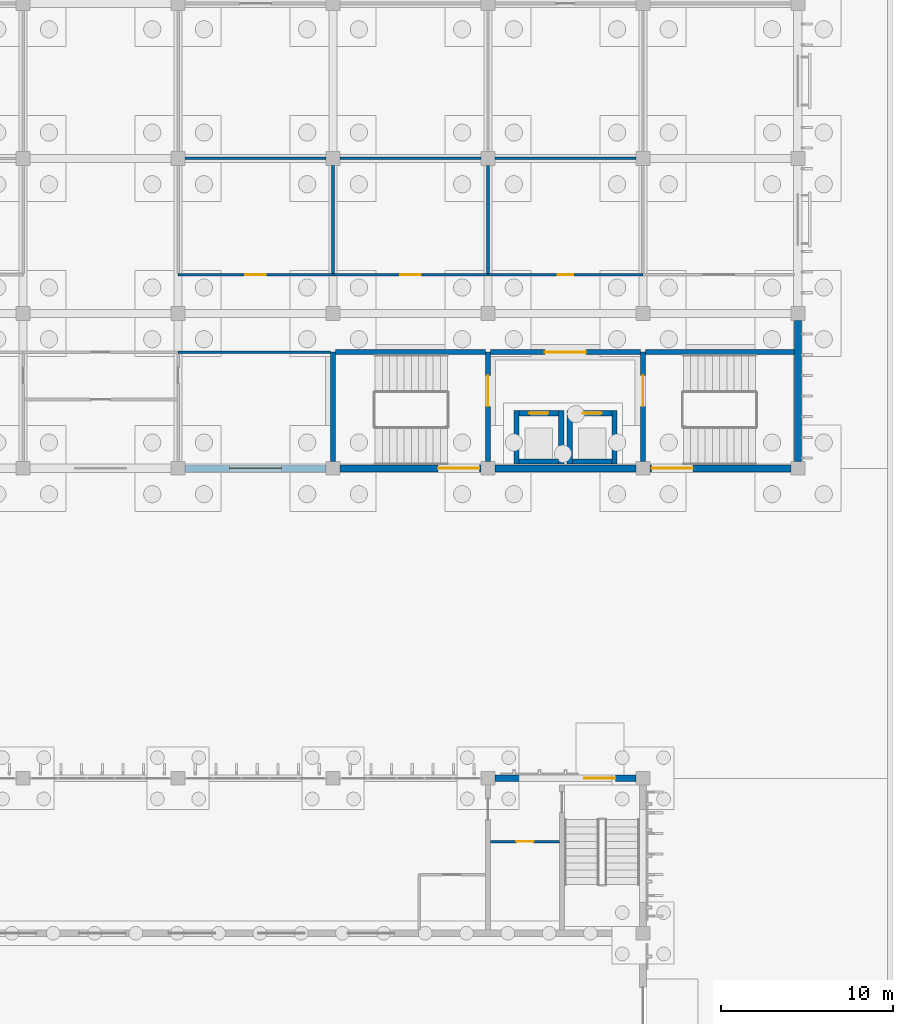
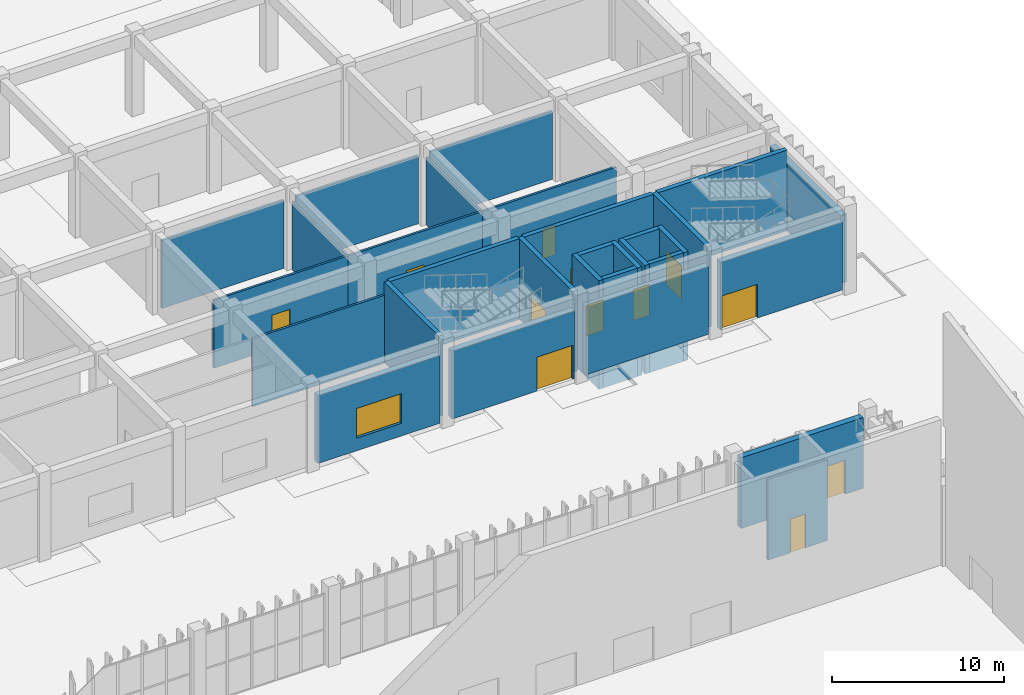
# One storey, part 103 of 198: 30 walls, 12 doors, 1 window, 13 openings.
"""IFC4 building model written with IfcOpenShell, lengths in metres."""

import ifcopenshell
import ifcopenshell.guid

model = None  # the IFC model being written
_history = None  # IfcOwnerHistory: only IFC2X3 demands one
_inside = {}  # id of a spatial element -> (the spatial element, [elements in it])
_under = {}  # id of a project, library or spatial element -> (it, [spatial elements below it])
_declared = {}  # id of a project -> (the project, [libraries it declares])
_typed = {}  # id of a type object -> (the type object, [elements of that type])
_made_of = {}  # id of a material, layer set ... -> (it, [elements and type objects made of it])


def new_model(schema):
    """Start an empty IFC model of exactly this schema.

    Asked for "IFC4X3", IfcOpenShell would pick the latest addendum, in which some entities
    have other attributes; the version numbers below select the first issue.
    IFC2X3 requires an IfcOwnerHistory on every rooted entity: one is made here for all.
    """
    global model, _history
    if schema == "IFC4X3":
        model = ifcopenshell.file(schema_version=(4, 3, 0, 0))
    else:
        model = ifcopenshell.file(schema=schema)
    _inside.clear()
    _under.clear()
    _declared.clear()
    _typed.clear()
    _made_of.clear()
    _history = None
    if model.schema == "IFC2X3":
        org = make("IfcOrganization", Name="unknown")
        user = make(
            "IfcPersonAndOrganization",
            ThePerson=make("IfcPerson", FamilyName="unknown"),
            TheOrganization=org,
        )
        app = make(
            "IfcApplication",
            ApplicationDeveloper=org,
            Version="unknown",
            ApplicationFullName="unknown",
            ApplicationIdentifier="unknown",
        )
        _history = make(
            "IfcOwnerHistory",
            OwningUser=user,
            OwningApplication=app,
            ChangeAction="ADDED",
            CreationDate=0,
        )
    return model


def make(cls, **values):
    """One entity of the class cls with the attributes given. An attribute that is None is left unset."""
    return model.create_entity(
        cls, **{name: value for name, value in values.items() if value is not None}
    )


def rooted(cls, **values):
    """An entity with a GlobalId (a new one), such as an element, a storey or a relation."""
    return make(cls, GlobalId=ifcopenshell.guid.new(), OwnerHistory=_history, **values)


def si_unit(unit_type, name, prefix=None):
    """IfcSIUnit, for example si_unit("LENGTHUNIT", "METRE", prefix="MILLI")."""
    return make("IfcSIUnit", UnitType=unit_type, Prefix=prefix, Name=name)


def assignment(units):
    """IfcUnitAssignment: the units of a project."""
    return None if units is None else make("IfcUnitAssignment", Units=units)


def point(xyz):
    """IfcCartesianPoint."""
    return None if xyz is None else make("IfcCartesianPoint", Coordinates=xyz)


def direction(xyz):
    """IfcDirection."""
    return None if xyz is None else make("IfcDirection", DirectionRatios=xyz)


def frame(location, z_axis=None, x_axis=None):
    """IfcAxis2Placement3D, a coordinate frame: its origin and axes. An axis left out is left unset."""
    return make(
        "IfcAxis2Placement3D",
        Location=point(location),
        Axis=direction(z_axis),
        RefDirection=direction(x_axis),
    )


def frame_2d(location, x_axis=None):
    """IfcAxis2Placement2D, a coordinate frame in the plane: its origin and x axis."""
    return make(
        "IfcAxis2Placement2D", Location=point(location), RefDirection=direction(x_axis)
    )


def origin():
    """The frame at (0, 0, 0) with its axes left unset."""
    return frame((0.0, 0.0, 0.0))


def place(relative_to, where):
    """IfcLocalPlacement: puts the frame where relative to a parent placement (None: the world)."""
    return make(
        "IfcLocalPlacement", PlacementRelTo=relative_to, RelativePlacement=where
    )


def context(
    kind, dimensions, precision=None, world=None, true_north=None, identifier=None
):
    """IfcGeometricRepresentationContext, for example the 3D "Model" context."""
    return make(
        "IfcGeometricRepresentationContext",
        ContextIdentifier=identifier,
        ContextType=kind,
        CoordinateSpaceDimension=dimensions,
        Precision=precision,
        WorldCoordinateSystem=world,
        TrueNorth=true_north,
    )


def subcontext(parent, identifier, kind, view, scale=None):
    """IfcGeometricRepresentationSubContext, for example "Body" below "Model"."""
    return make(
        "IfcGeometricRepresentationSubContext",
        ContextIdentifier=identifier,
        ContextType=kind,
        ParentContext=parent,
        TargetScale=scale,
        TargetView=view,
    )


def project(units=None, contexts=None):
    """IfcProject with its units and contexts."""
    return rooted(
        "IfcProject",
        Name="project",
        RepresentationContexts=contexts,
        UnitsInContext=assignment(units),
    )


def spatial(cls, under=None, at=None, **own):
    """A site, building, storey or space (cls), placed at a placement, below another one or the project."""
    s = rooted(cls, ObjectPlacement=at, **own)
    if under is not None:
        _under.setdefault(under.id(), (under, []))[1].append(s)
    return s


def profile(cls, at=None, kind="AREA", **sizes):
    """A parametric profile (cls). Its sizes go by their IFC names, for example OverallWidth=200.0."""
    return make(cls, ProfileType=kind, Position=at, **sizes)


def rectangle(**sizes):
    """IfcRectangleProfileDef."""
    return profile("IfcRectangleProfileDef", **sizes)


def extrude(swept, where, along, depth):
    """IfcExtrudedAreaSolid: the profile swept, set in the frame where, extruded along a direction by depth."""
    return make(
        "IfcExtrudedAreaSolid",
        SweptArea=swept,
        Position=where,
        ExtrudedDirection=direction(along),
        Depth=depth,
    )


def shape(context_of_items, identifier, shape_type, items):
    """IfcShapeRepresentation: the items that make up one representation, for example the "Body"."""
    return make(
        "IfcShapeRepresentation",
        ContextOfItems=context_of_items,
        RepresentationIdentifier=identifier,
        RepresentationType=shape_type,
        Items=items,
    )


def material(Name=None, Category=None):
    """IfcMaterial."""
    return make("IfcMaterial", Name=Name, Category=Category)


def layer(
    of_material, thickness, ventilated=None, Name=None, Category=None, Priority=None
):
    """IfcMaterialLayer: one layer of a wall or slab, of a material (None: an air gap)."""
    return make(
        "IfcMaterialLayer",
        Material=of_material,
        LayerThickness=thickness,
        IsVentilated=ventilated,
        Name=Name,
        Category=Category,
        Priority=Priority,
    )


def layer_set(layers, Name=None):
    """IfcMaterialLayerSet."""
    return make("IfcMaterialLayerSet", MaterialLayers=layers, LayerSetName=Name)


def made_of(thing, what):
    """Note that an element or type object is made of a material, layer set ...; save() writes the relation."""
    if what is not None:
        _made_of.setdefault(what.id(), (what, []))[1].append(thing)
    return thing


def type_object(cls, material=None, **own):
    """A type object (cls), such as IfcWallType, which elements share."""
    return made_of(rooted(cls, **own), material)


def element(
    cls,
    number,
    at=None,
    inside=None,
    cuts=None,
    type_object=None,
    material=None,
    context=None,
    identifier="Body",
    shape_type=None,
    held_by="IfcProductDefinitionShape",
    body=None,
    shapes=None,
    **own,
):
    """One element of the class cls, such as IfcWall. Its Tag is "e" and its number.

    at: its placement. inside: the storey or other place that contains it. cuts: it is an
    opening in that element (IfcRelVoidsElement). A single representation is given by context,
    identifier, shape_type and body (its items); several are given by shapes. held_by: the class
    of the entity that holds the representations. save() writes the other relations.
    """
    e = rooted(cls, Tag="e%d" % number, ObjectPlacement=at, **own)
    if body is not None:
        shapes = [shape(context, identifier, shape_type, body)]
    if shapes is not None:
        e.Representation = make(held_by, Representations=shapes)
    if inside is not None:
        _inside.setdefault(inside.id(), (inside, []))[1].append(e)
    if cuts is not None:
        rooted(
            "IfcRelVoidsElement", RelatingBuildingElement=cuts, RelatedOpeningElement=e
        )
    if type_object is not None:
        _typed.setdefault(type_object.id(), (type_object, []))[1].append(e)
    return made_of(e, material)


def fill(opening, filler):
    """IfcRelFillsElement: the door or window that sits in an opening."""
    return rooted(
        "IfcRelFillsElement",
        RelatingOpeningElement=opening,
        RelatedBuildingElement=filler,
    )


def aggregate(whole, parts):
    """IfcRelAggregates: a whole, such as a stair, and the parts it consists of."""
    return rooted("IfcRelAggregates", RelatingObject=whole, RelatedObjects=parts)


def save(model, path):
    """Write the relations noted so far, then the file.

    IfcRelAggregates (storeys below a building ...), IfcRelContainedInSpatialStructure (elements
    in a storey), IfcRelDefinesByType, IfcRelAssociatesMaterial and IfcRelDeclares: one each for
    every whole, place, type object, material and project.
    """
    for whole, parts in _under.values():
        aggregate(whole, parts)
    for where, things in _inside.values():
        rooted(
            "IfcRelContainedInSpatialStructure",
            RelatedElements=things,
            RelatingStructure=where,
        )
    for kind, things in _typed.values():
        rooted("IfcRelDefinesByType", RelatedObjects=things, RelatingType=kind)
    for what, things in _made_of.values():
        rooted("IfcRelAssociatesMaterial", RelatedObjects=things, RelatingMaterial=what)
    for by, libraries in _declared.values():
        rooted("IfcRelDeclares", RelatingContext=by, RelatedDefinitions=libraries)
    model.write(path)


model = new_model("IFC4")

# Units and contexts
model_context = context("Model", 3, precision=1e-05, world=origin(), true_north=direction((0.0, 1.0)))
body_context = subcontext(model_context, "Body", "Model", "MODEL_VIEW")
ifc_project = project(units=[si_unit("LENGTHUNIT", "METRE"), si_unit("AREAUNIT", "SQUARE_METRE"), si_unit("VOLUMEUNIT", "CUBIC_METRE"), si_unit("PLANEANGLEUNIT", "RADIAN"), si_unit("MASSUNIT", "GRAM", prefix="KILO")], contexts=[model_context])

# Site, building, storey
site_placement = place(None, origin())
site = spatial("IfcSite", under=ifc_project, at=site_placement, CompositionType="ELEMENT")
building_placement = place(site_placement, origin())
building = spatial("IfcBuilding", under=site, at=building_placement, Name="Opaline Strait Convention Centre", CompositionType="ELEMENT")
storey_placement = place(building_placement, origin())
storey = spatial("IfcBuildingStorey", under=building, at=storey_placement, Name="L00", CompositionType="ELEMENT", Elevation=0.0)

# Wall, opening, door
ifc_material_1 = material(Name="Gypsum board and steel stud partition", Category="steel")
ifc_layer_1 = layer(ifc_material_1, 0.14990234375)
ifc_layer_set_1 = layer_set([ifc_layer_1], Name="Gypsum board and steel stud partition")
wall_type_1 = type_object("IfcWallType", Name="Corridor partition 150 EI 60", PredefinedType="PARTITIONING", material=ifc_layer_set_1)
wall_1_placement = place(storey_placement, frame((342.14990234375, 68.324951171875, 0.0), z_axis=(0.0, 0.0, 1.0), x_axis=(1.0, 0.0, 0.0)))
wall_1 = element("IfcWall", 1, at=wall_1_placement, inside=storey, type_object=wall_type_1, Name="Lobby partition L00 NE", PredefinedType="PARTITIONING", context=body_context, shape_type="SweptSolid", body=[
    extrude(rectangle(XDim=4.0, YDim=0.14990234375, at=frame_2d((2.0, 0.0))), origin(), (0.0, 0.0, 1.0), 5.719970703125),
])
opening_1_placement = place(wall_1_placement, frame((1.5, 0.0, 0.0)))
opening_1 = element("IfcOpeningElement", 2, at=opening_1_placement, cuts=wall_1, Name="Opening B0-026", PredefinedType="OPENING", context=body_context, shape_type="SweptSolid", body=[
    extrude(rectangle(XDim=1.0, YDim=2.39990234375, at=frame_2d((0.5, 1.199951171875))), frame((0.0, 0.0849609375, 0.0), z_axis=(0.0, -1.0, 0.0), x_axis=(1.0, 0.0, 0.0)), (0.0, 0.0, 1.0), 0.169921875),
])
ifc_material_2 = material(Name="Solid timber door leaf", Category="wood")
door_type_1 = type_object("IfcDoorType", Name="Single room door 1000 x 2400", OperationType="SINGLE_SWING_LEFT", PredefinedType="DOOR", material=ifc_material_2)
door_1_placement = place(opening_1_placement, origin())
door_1 = element("IfcDoor", 3, at=door_1_placement, inside=storey, type_object=door_type_1, Name="Female WC door L00", ObjectType="BD3", OperationType="SINGLE_SWING_RIGHT", OverallHeight=2.39990234375, OverallWidth=1.0, PredefinedType="DOOR", context=body_context, shape_type="SweptSolid", body=[
    extrude(rectangle(XDim=1.0, YDim=2.39990234375, at=frame_2d((0.5, 1.199951171875))), frame((0.0, 0.02490234375, 0.0), z_axis=(0.0, -1.0, 0.0), x_axis=(1.0, 0.0, 0.0)), (0.0, 0.0, 1.0), 0.050048828125),
])
fill(opening_1, door_1)

# Wall
ifc_material_3 = material(Name="Gypsum board")
ifc_layer_2 = layer(ifc_material_3, 0.032470703125)
ifc_material_4 = material(Name="Steel stud and mineral wool", Category="steel")
ifc_layer_3 = layer(ifc_material_4, 0.0849609375)
ifc_layer_4 = layer(ifc_material_3, 0.032470703125)
ifc_layer_set_2 = layer_set([ifc_layer_2, ifc_layer_3, ifc_layer_4], Name="Gypsum board, Steel stud and mineral wool, Gypsum board")
wall_type_2 = type_object("IfcWallType", Name="Corridor partition 150 EI60", PredefinedType="PARTITIONING", material=ifc_layer_set_2)
wall_2_placement = place(storey_placement, frame((324.0, 96.75, 0.0), z_axis=(0.0, 0.0, 1.0), x_axis=(1.0, 0.0, 0.0)))
element("IfcWall", 4, at=wall_2_placement, inside=storey, type_object=wall_type_2, Name="MPW1 partition Women's WC 0.S N", PredefinedType="PARTITIONING", context=body_context, shape_type="SweptSolid", body=[
    extrude(rectangle(XDim=8.85009765625, YDim=0.14990234375, at=frame_2d((4.425048828125, 0.0))), origin(), (0.0, 0.0, 1.0), 4.820068359375),
])

# Wall, opening, window
ifc_material_5 = material(Name="Concrete C40 precast", Category="concrete")
ifc_layer_5 = layer(ifc_material_5, 0.10009765625)
ifc_material_6 = material(Name="Mineral wool insulation")
ifc_layer_6 = layer(ifc_material_6, 0.14990234375)
ifc_layer_7 = layer(ifc_material_5, 0.14990234375)
ifc_layer_set_3 = layer_set([ifc_layer_5, ifc_layer_6, ifc_layer_7], Name="Concrete C40 precast, Mineral wool insulation, Concrete C40 precast")
wall_type_3 = type_object("IfcWallType", Name="External wall 400 insulated precast EI60", PredefinedType="STANDARD", material=ifc_layer_set_3)
wall_3_placement = place(storey_placement, frame((324.39990234375, 90.0, 0.0), z_axis=(0.0, 0.0, 1.0), x_axis=(1.0, 0.0, 0.0)))
wall_3 = element("IfcWall", 5, at=wall_3_placement, inside=storey, type_object=wall_type_3, Name="External wall S L00 37/L", PredefinedType="STANDARD", context=body_context, shape_type="SweptSolid", body=[
    extrude(rectangle(XDim=8.2001953125, YDim=0.39990234375, at=frame_2d((4.10009765625, 0.0))), origin(), (0.0, 0.0, 1.0), 4.820068359375),
])
opening_2_placement = place(wall_3_placement, frame((2.60009765625, 0.0, 0.89990234375)))
opening_2 = element("IfcOpeningElement", 6, at=opening_2_placement, cuts=wall_3, Name="Opening MW2", PredefinedType="OPENING", context=body_context, shape_type="SweptSolid", body=[
    extrude(rectangle(XDim=3.0, YDim=2.10009765625, at=frame_2d((1.5, 1.050048828125))), frame((0.0, 0.2099609375, 0.0), z_axis=(0.0, -1.0, 0.0), x_axis=(1.0, 0.0, 0.0)), (0.0, 0.0, 1.0), 0.419921875),
])
ifc_material_7 = material(Name="Aluminium framed double glazing", Category="aluminium")
window_type = type_object("IfcWindowType", Name="Window 3000 x 2100", PartitioningType="TRIPLE_PANEL_VERTICAL", PredefinedType="WINDOW", material=ifc_material_7)
window_placement = place(opening_2_placement, origin())
window = element("IfcWindow", 7, at=window_placement, inside=storey, type_object=window_type, Name="Window Women's WC 0.S S", OverallHeight=2.10009765625, OverallWidth=3.0, PartitioningType="TRIPLE_PANEL_VERTICAL", PredefinedType="WINDOW", context=body_context, shape_type="SweptSolid", body=[
    extrude(rectangle(XDim=3.0, YDim=2.10009765625, at=frame_2d((1.5, 1.050048828125))), frame((0.0, 0.030029296875, 0.0), z_axis=(0.0, -1.0, 0.0), x_axis=(1.0, 0.0, 0.0)), (0.0, 0.0, 1.0), 0.06005859375),
])
fill(opening_2, window)

# Wall, opening, door
wall_4_placement = place(storey_placement, frame((333.39990234375, 90.0, 0.0), z_axis=(0.0, 0.0, 1.0), x_axis=(1.0, 0.0, 0.0)))
wall_4 = element("IfcWall", 8, at=wall_4_placement, inside=storey, type_object=wall_type_3, Name="External wall S L00 38/L", PredefinedType="STANDARD", context=body_context, shape_type="SweptSolid", body=[
    extrude(rectangle(XDim=8.2001953125, YDim=0.39990234375, at=frame_2d((4.10009765625, 0.0))), origin(), (0.0, 0.0, 1.0), 4.820068359375),
])
opening_3_placement = place(wall_4_placement, frame((5.7001953125, 0.0, 0.0)))
opening_3 = element("IfcOpeningElement", 9, at=opening_3_placement, cuts=wall_4, Name="Opening M0-003", PredefinedType="OPENING", context=body_context, shape_type="SweptSolid", body=[
    extrude(rectangle(XDim=2.39990234375, YDim=2.39990234375, at=frame_2d((1.199951171875, 1.199951171875))), frame((0.0, 0.2099609375, 0.0), z_axis=(0.0, -1.0, 0.0), x_axis=(1.0, 0.0, 0.0)), (0.0, 0.0, 1.0), 0.419921875),
])
ifc_material_8 = material(Name="Aluminium framed glazed door", Category="aluminium")
door_type_2 = type_object("IfcDoorType", Name="Exit double door glazed 2400 x 2400", OperationType="DOUBLE_DOOR_SINGLE_SWING", PredefinedType="DOOR", material=ifc_material_8)
door_2_placement = place(opening_3_placement, frame((2.39990234375, 0.0, 0.0), z_axis=(0.0, 0.0, 1.0), x_axis=(-1.0, 0.0, 0.0)))
door_2 = element("IfcDoor", 10, at=door_2_placement, inside=storey, type_object=door_type_2, Name="Stair exit door Escape Stair S4", ObjectType="MD1", OperationType="DOUBLE_DOOR_SINGLE_SWING", OverallHeight=2.39990234375, OverallWidth=2.39990234375, PredefinedType="DOOR", context=body_context, shape_type="SweptSolid", body=[
    extrude(rectangle(XDim=2.39990234375, YDim=2.39990234375, at=frame_2d((1.199951171875, 1.199951171875))), frame((0.0, 0.02490234375, 0.0), z_axis=(0.0, -1.0, 0.0), x_axis=(1.0, 0.0, 0.0)), (0.0, 0.0, 1.0), 0.050048828125),
])
fill(opening_3, door_2)

# Wall
wall_5_placement = place(storey_placement, frame((342.39990234375, 90.0, 0.0), z_axis=(0.0, 0.0, 1.0), x_axis=(1.0, 0.0, 0.0)))
element("IfcWall", 11, at=wall_5_placement, inside=storey, type_object=wall_type_3, Name="External wall S L00 39/L", PredefinedType="STANDARD", context=body_context, shape_type="SweptSolid", body=[
    extrude(rectangle(XDim=8.2001953125, YDim=0.39990234375, at=frame_2d((4.10009765625, 0.0))), origin(), (0.0, 0.0, 1.0), 4.820068359375),
])

# Wall, opening, door
wall_6_placement = place(storey_placement, frame((351.39990234375, 90.0, 0.0), z_axis=(0.0, 0.0, 1.0), x_axis=(1.0, 0.0, 0.0)))
wall_6 = element("IfcWall", 12, at=wall_6_placement, inside=storey, type_object=wall_type_3, Name="External wall S L00 40/L", PredefinedType="STANDARD", context=body_context, shape_type="SweptSolid", body=[
    extrude(rectangle(XDim=8.2001953125, YDim=0.39990234375, at=frame_2d((4.10009765625, 0.0))), origin(), (0.0, 0.0, 1.0), 4.820068359375),
])
opening_4_placement = place(wall_6_placement, frame((0.10009765625, 0.0, 0.0)))
opening_4 = element("IfcOpeningElement", 13, at=opening_4_placement, cuts=wall_6, Name="Opening M0-004", PredefinedType="OPENING", context=body_context, shape_type="SweptSolid", body=[
    extrude(rectangle(XDim=2.39990234375, YDim=2.39990234375, at=frame_2d((1.199951171875, 1.199951171875))), frame((0.0, 0.2099609375, 0.0), z_axis=(0.0, -1.0, 0.0), x_axis=(1.0, 0.0, 0.0)), (0.0, 0.0, 1.0), 0.419921875),
])
door_3_placement = place(opening_4_placement, frame((2.39990234375, 0.0, 0.0), z_axis=(0.0, 0.0, 1.0), x_axis=(-1.0, 0.0, 0.0)))
door_3 = element("IfcDoor", 14, at=door_3_placement, inside=storey, type_object=door_type_2, Name="Stair exit door Escape Stair S3", ObjectType="MD1", OperationType="DOUBLE_DOOR_SINGLE_SWING", OverallHeight=2.39990234375, OverallWidth=2.39990234375, PredefinedType="DOOR", context=body_context, shape_type="SweptSolid", body=[
    extrude(rectangle(XDim=2.39990234375, YDim=2.39990234375, at=frame_2d((1.199951171875, 1.199951171875))), frame((0.0, 0.02490234375, 0.0), z_axis=(0.0, -1.0, 0.0), x_axis=(1.0, 0.0, 0.0)), (0.0, 0.0, 1.0), 0.050048828125),
])
fill(opening_4, door_3)

# Wall
wall_7_placement = place(storey_placement, frame((360.0, 90.39990234375, 0.0), z_axis=(0.0, 0.0, 1.0), x_axis=(0.0, 1.0, 0.0)))
element("IfcWall", 15, at=wall_7_placement, inside=storey, type_object=wall_type_3, Name="External wall E L00 41/L", PredefinedType="STANDARD", context=body_context, shape_type="SweptSolid", body=[
    extrude(rectangle(XDim=8.2001953125, YDim=0.39990234375, at=frame_2d((4.10009765625, 0.0))), origin(), (0.0, 0.0, 1.0), 4.820068359375),
])

# Wall, opening, door
ifc_layer_8 = layer(ifc_material_3, 0.032470703125)
ifc_layer_9 = layer(ifc_material_4, 0.0849609375)
ifc_layer_10 = layer(ifc_material_3, 0.032470703125)
ifc_layer_set_4 = layer_set([ifc_layer_8, ifc_layer_9, ifc_layer_10], Name="Gypsum board, Steel stud and mineral wool, Gypsum board")
wall_type_4 = type_object("IfcWallType", Name="Plant room partition 150 EI120", PredefinedType="PARTITIONING", material=ifc_layer_set_4)
wall_8_placement = place(storey_placement, frame((324.0, 101.25, 0.0), z_axis=(0.0, 0.0, 1.0), x_axis=(1.0, 0.0, 0.0)))
wall_8 = element("IfcWall", 16, at=wall_8_placement, inside=storey, type_object=wall_type_4, Name="MPW3 partition Comms Room 0.13 S", PredefinedType="PARTITIONING", context=body_context, shape_type="SweptSolid", body=[
    extrude(rectangle(XDim=9.0, YDim=0.14990234375, at=frame_2d((4.5, 0.0))), origin(), (0.0, 0.0, 1.0), 4.820068359375),
])
opening_5_placement = place(wall_8_placement, frame((3.89990234375, 0.0, 0.0)))
opening_5 = element("IfcOpeningElement", 17, at=opening_5_placement, cuts=wall_8, Name="Opening M0-047", PredefinedType="OPENING", context=body_context, shape_type="SweptSolid", body=[
    extrude(rectangle(XDim=1.199951171875, YDim=2.39990234375, at=frame_2d((0.60009765625, 1.199951171875))), frame((0.0, 0.0849609375, 0.0), z_axis=(0.0, -1.0, 0.0), x_axis=(1.0, 0.0, 0.0)), (0.0, 0.0, 1.0), 0.169921875),
])
ifc_material_9 = material(Name="Steel Q235B", Category="steel")
door_type_3 = type_object("IfcDoorType", Name="Plant room door FD60 1200 x 2400", OperationType="SINGLE_SWING_LEFT", PredefinedType="DOOR", material=ifc_material_9)
door_4_placement = place(opening_5_placement, frame((1.199951171875, 0.0, 0.0), z_axis=(0.0, 0.0, 1.0), x_axis=(-1.0, 0.0, 0.0)))
door_4 = element("IfcDoor", 18, at=door_4_placement, inside=storey, type_object=door_type_3, Name="Door Comms Room 0.13", ObjectType="MD9", OperationType="SINGLE_SWING_LEFT", OverallHeight=2.39990234375, OverallWidth=1.199951171875, PredefinedType="DOOR", context=body_context, shape_type="SweptSolid", body=[
    extrude(rectangle(XDim=1.199951171875, YDim=2.39990234375, at=frame_2d((0.60009765625, 1.199951171875))), frame((0.0, 0.02490234375, 0.0), z_axis=(0.0, -1.0, 0.0), x_axis=(1.0, 0.0, 0.0)), (0.0, 0.0, 1.0), 0.050048828125),
])
fill(opening_5, door_4)

# Walls
wall_9_placement = place(storey_placement, frame((324.39990234375, 108.0, 0.0), z_axis=(0.0, 0.0, 1.0), x_axis=(1.0, 0.0, 0.0)))
element("IfcWall", 19, at=wall_9_placement, inside=storey, type_object=wall_type_4, Name="MPW3 partition Comms Room 0.13 N", PredefinedType="PARTITIONING", context=body_context, shape_type="SweptSolid", body=[
    extrude(rectangle(XDim=8.2001953125, YDim=0.14990234375, at=frame_2d((4.10009765625, 0.0))), origin(), (0.0, 0.0, 1.0), 4.820068359375),
])
wall_10_placement = place(storey_placement, frame((333.0, 101.324951171875, 0.0), z_axis=(0.0, 0.0, 1.0), x_axis=(0.0, 1.0, 0.0)))
element("IfcWall", 20, at=wall_10_placement, inside=storey, type_object=wall_type_4, Name="MPW3 partition Comms Room 0.13 E", PredefinedType="PARTITIONING", context=body_context, shape_type="SweptSolid", body=[
    extrude(rectangle(XDim=6.275146484375, YDim=0.14990234375, at=frame_2d((3.1376953125, 0.0))), origin(), (0.0, 0.0, 1.0), 4.820068359375),
])

# Wall, opening, door
wall_11_placement = place(storey_placement, frame((333.0, 101.25, 0.0), z_axis=(0.0, 0.0, 1.0), x_axis=(1.0, 0.0, 0.0)))
wall_11 = element("IfcWall", 21, at=wall_11_placement, inside=storey, type_object=wall_type_4, Name="MPW3 partition Plant Room 0.14 S", PredefinedType="PARTITIONING", context=body_context, shape_type="SweptSolid", body=[
    extrude(rectangle(XDim=9.0, YDim=0.14990234375, at=frame_2d((4.5, 0.0))), origin(), (0.0, 0.0, 1.0), 4.820068359375),
])
opening_6_placement = place(wall_11_placement, frame((3.89990234375, 0.0, 0.0)))
opening_6 = element("IfcOpeningElement", 22, at=opening_6_placement, cuts=wall_11, Name="Opening M0-048", PredefinedType="OPENING", context=body_context, shape_type="SweptSolid", body=[
    extrude(rectangle(XDim=1.199951171875, YDim=2.39990234375, at=frame_2d((0.60009765625, 1.199951171875))), frame((0.0, 0.0849609375, 0.0), z_axis=(0.0, -1.0, 0.0), x_axis=(1.0, 0.0, 0.0)), (0.0, 0.0, 1.0), 0.169921875),
])
door_5_placement = place(opening_6_placement, frame((1.199951171875, 0.0, 0.0), z_axis=(0.0, 0.0, 1.0), x_axis=(-1.0, 0.0, 0.0)))
door_5 = element("IfcDoor", 23, at=door_5_placement, inside=storey, type_object=door_type_3, Name="Door Plant Room 0.14", ObjectType="MD9", OperationType="SINGLE_SWING_LEFT", OverallHeight=2.39990234375, OverallWidth=1.199951171875, PredefinedType="DOOR", context=body_context, shape_type="SweptSolid", body=[
    extrude(rectangle(XDim=1.199951171875, YDim=2.39990234375, at=frame_2d((0.60009765625, 1.199951171875))), frame((0.0, 0.02490234375, 0.0), z_axis=(0.0, -1.0, 0.0), x_axis=(1.0, 0.0, 0.0)), (0.0, 0.0, 1.0), 0.050048828125),
])
fill(opening_6, door_5)

# Walls
wall_12_placement = place(storey_placement, frame((333.39990234375, 108.0, 0.0), z_axis=(0.0, 0.0, 1.0), x_axis=(1.0, 0.0, 0.0)))
element("IfcWall", 24, at=wall_12_placement, inside=storey, type_object=wall_type_4, Name="MPW3 partition Plant Room 0.14 N", PredefinedType="PARTITIONING", context=body_context, shape_type="SweptSolid", body=[
    extrude(rectangle(XDim=8.2001953125, YDim=0.14990234375, at=frame_2d((4.10009765625, 0.0))), origin(), (0.0, 0.0, 1.0), 4.820068359375),
])
wall_13_placement = place(storey_placement, frame((342.0, 101.324951171875, 0.0), z_axis=(0.0, 0.0, 1.0), x_axis=(0.0, 1.0, 0.0)))
element("IfcWall", 25, at=wall_13_placement, inside=storey, type_object=wall_type_4, Name="MPW3 partition Plant Room 0.14 E", PredefinedType="PARTITIONING", context=body_context, shape_type="SweptSolid", body=[
    extrude(rectangle(XDim=6.275146484375, YDim=0.14990234375, at=frame_2d((3.1376953125, 0.0))), origin(), (0.0, 0.0, 1.0), 4.820068359375),
])

# Wall, opening, door
wall_14_placement = place(storey_placement, frame((342.0, 101.25, 0.0), z_axis=(0.0, 0.0, 1.0), x_axis=(1.0, 0.0, 0.0)))
wall_14 = element("IfcWall", 26, at=wall_14_placement, inside=storey, type_object=wall_type_4, Name="MPW3 partition Riser Room 0.15 S", PredefinedType="PARTITIONING", context=body_context, shape_type="SweptSolid", body=[
    extrude(rectangle(XDim=9.0, YDim=0.14990234375, at=frame_2d((4.5, 0.0))), origin(), (0.0, 0.0, 1.0), 4.820068359375),
])
opening_7_placement = place(wall_14_placement, frame((4.050048828125, 0.0, 0.0)))
opening_7 = element("IfcOpeningElement", 27, at=opening_7_placement, cuts=wall_14, Name="Opening M0-049", PredefinedType="OPENING", context=body_context, shape_type="SweptSolid", body=[
    extrude(rectangle(XDim=0.89990234375, YDim=2.10009765625, at=frame_2d((0.449951171875, 1.050048828125))), frame((0.0, 0.0849609375, 0.0), z_axis=(0.0, -1.0, 0.0), x_axis=(1.0, 0.0, 0.0)), (0.0, 0.0, 1.0), 0.169921875),
])
door_type_4 = type_object("IfcDoorType", Name="Riser door FD30 900 x 2100", OperationType="SINGLE_SWING_LEFT", PredefinedType="DOOR", material=ifc_material_9)
door_6_placement = place(opening_7_placement, frame((0.89990234375, 0.0, 0.0), z_axis=(0.0, 0.0, 1.0), x_axis=(-1.0, 0.0, 0.0)))
door_6 = element("IfcDoor", 28, at=door_6_placement, inside=storey, type_object=door_type_4, Name="Door Riser Room 0.15", ObjectType="MD10", OperationType="SINGLE_SWING_RIGHT", OverallHeight=2.10009765625, OverallWidth=0.89990234375, PredefinedType="DOOR", context=body_context, shape_type="SweptSolid", body=[
    extrude(rectangle(XDim=0.89990234375, YDim=2.10009765625, at=frame_2d((0.449951171875, 1.050048828125))), frame((0.0, 0.02490234375, 0.0), z_axis=(0.0, -1.0, 0.0), x_axis=(1.0, 0.0, 0.0)), (0.0, 0.0, 1.0), 0.050048828125),
])
fill(opening_7, door_6)

# Wall
wall_15_placement = place(storey_placement, frame((342.39990234375, 108.0, 0.0), z_axis=(0.0, 0.0, 1.0), x_axis=(1.0, 0.0, 0.0)))
element("IfcWall", 29, at=wall_15_placement, inside=storey, type_object=wall_type_4, Name="MPW3 partition Riser Room 0.15 N", PredefinedType="PARTITIONING", context=body_context, shape_type="SweptSolid", body=[
    extrude(rectangle(XDim=8.2001953125, YDim=0.14990234375, at=frame_2d((4.10009765625, 0.0))), origin(), (0.0, 0.0, 1.0), 4.820068359375),
])

# Wall, opening, door
ifc_layer_11 = layer(ifc_material_5, 0.080078125)
ifc_material_10 = material(Name="Ventilated air cavity")
ifc_layer_12 = layer(ifc_material_10, 0.030029296875)
ifc_layer_13 = layer(ifc_material_6, 0.139892578125)
ifc_material_11 = material(Name="Concrete C30", Category="concrete")
ifc_layer_14 = layer(ifc_material_11, 0.14990234375)
ifc_layer_set_5 = layer_set([ifc_layer_11, ifc_layer_12, ifc_layer_13, ifc_layer_14], Name="Concrete C40 precast, Ventilated air cavity, Mineral wool insulation, Concrete C30")
wall_type_5 = type_object("IfcWallType", Name="Precast insulated wall 400", PredefinedType="STANDARD", material=ifc_layer_set_5)
wall_16_placement = place(storey_placement, frame((342.39990234375, 72.0, 0.0), z_axis=(0.0, 0.0, 1.0), x_axis=(1.0, 0.0, 0.0)))
wall_16 = element("IfcWall", 30, at=wall_16_placement, inside=storey, type_object=wall_type_5, Name="Ballroom north wall L00 core bay 7", PredefinedType="STANDARD", context=body_context, shape_type="SweptSolid", body=[
    extrude(rectangle(XDim=8.2001953125, YDim=0.39990234375, at=frame_2d((4.10009765625, 0.0))), origin(), (0.0, 0.0, 1.0), 5.02001953125),
])
opening_8_placement = place(wall_16_placement, frame((5.199951171875, 0.0, 0.0)))
opening_8 = element("IfcOpeningElement", 31, at=opening_8_placement, cuts=wall_16, Name="Opening B0-012", PredefinedType="OPENING", context=body_context, shape_type="SweptSolid", body=[
    extrude(rectangle(XDim=1.800048828125, YDim=2.39990234375, at=frame_2d((0.89990234375, 1.199951171875))), frame((0.0, 0.2099609375, 0.0), z_axis=(0.0, -1.0, 0.0), x_axis=(1.0, 0.0, 0.0)), (0.0, 0.0, 1.0), 0.419921875),
])
door_type_5 = type_object("IfcDoorType", Name="Exit double door 1800 x 2400", OperationType="DOUBLE_DOOR_SINGLE_SWING", PredefinedType="DOOR", material=ifc_material_9)
door_7_placement = place(opening_8_placement, origin())
door_7 = element("IfcDoor", 32, at=door_7_placement, inside=storey, type_object=door_type_5, Name="Stair exit door NE", ObjectType="PD3", OperationType="DOUBLE_DOOR_SINGLE_SWING", OverallHeight=2.39990234375, OverallWidth=1.800048828125, PredefinedType="DOOR", context=body_context, shape_type="SweptSolid", body=[
    extrude(rectangle(XDim=1.800048828125, YDim=2.39990234375, at=frame_2d((0.89990234375, 1.199951171875))), frame((0.0, 0.02490234375, 0.0), z_axis=(0.0, -1.0, 0.0), x_axis=(1.0, 0.0, 0.0)), (0.0, 0.0, 1.0), 0.050048828125),
])
fill(opening_8, door_7)

ifc_material_12 = material(Name="Concrete C40", Category="concrete")
ifc_layer_15 = layer(ifc_material_12, 0.300048828125)
ifc_layer_set_6 = layer_set([ifc_layer_15], Name="Concrete C40")
wall_type_6 = type_object("IfcWallType", Name="RC core wall 300 C40", PredefinedType="SHEAR", material=ifc_layer_set_6)
wall_17_placement = place(storey_placement, frame((351.0, 90.39990234375, 0.0), z_axis=(0.0, 0.0, 1.0), x_axis=(0.0, 1.0, 0.0)))
wall_17 = element("IfcWall", 33, at=wall_17_placement, inside=storey, type_object=wall_type_6, Name="Core wall SE-L00", PredefinedType="SHEAR", context=body_context, shape_type="SweptSolid", body=[
    extrude(rectangle(XDim=6.35009765625, YDim=0.300048828125, at=frame_2d((3.175048828125, 0.0))), origin(), (0.0, 0.0, 1.0), 5.719970703125),
])
opening_9_placement = place(wall_17_placement, frame((3.2001953125, 0.0, 0.0)))
opening_9 = element("IfcOpeningElement", 34, at=opening_9_placement, cuts=wall_17, Name="Opening M0-023", PredefinedType="OPENING", context=body_context, shape_type="SweptSolid", body=[
    extrude(rectangle(XDim=1.800048828125, YDim=2.39990234375, at=frame_2d((0.89990234375, 1.199951171875))), frame((0.0, 0.159912109375, 0.0), z_axis=(0.0, -1.0, 0.0), x_axis=(1.0, 0.0, 0.0)), (0.0, 0.0, 1.0), 0.320068359375),
])
door_type_6 = type_object("IfcDoorType", Name="Stair door FD60 1800 x 2400", OperationType="DOUBLE_DOOR_SINGLE_SWING", PredefinedType="DOOR", material=ifc_material_9)
door_8_placement = place(opening_9_placement, origin())
door_8 = element("IfcDoor", 35, at=door_8_placement, inside=storey, type_object=door_type_6, Name="Escape stair S3 door L00", ObjectType="MD4", OperationType="DOUBLE_DOOR_SINGLE_SWING", OverallHeight=2.39990234375, OverallWidth=1.800048828125, PredefinedType="DOOR", context=body_context, shape_type="SweptSolid", body=[
    extrude(rectangle(XDim=1.800048828125, YDim=2.39990234375, at=frame_2d((0.89990234375, 1.199951171875))), frame((0.0, 0.02490234375, 0.0), z_axis=(0.0, -1.0, 0.0), x_axis=(1.0, 0.0, 0.0)), (0.0, 0.0, 1.0), 0.050048828125),
])
fill(opening_9, door_8)

wall_18_placement = place(storey_placement, frame((342.0, 90.39990234375, 0.0), z_axis=(0.0, 0.0, 1.0), x_axis=(0.0, 1.0, 0.0)))
wall_18 = element("IfcWall", 36, at=wall_18_placement, inside=storey, type_object=wall_type_6, Name="Core wall SE-L00", PredefinedType="SHEAR", context=body_context, shape_type="SweptSolid", body=[
    extrude(rectangle(XDim=6.35009765625, YDim=0.300048828125, at=frame_2d((3.175048828125, 0.0))), origin(), (0.0, 0.0, 1.0), 5.719970703125),
])
opening_10_placement = place(wall_18_placement, frame((3.2001953125, 0.0, 0.0)))
opening_10 = element("IfcOpeningElement", 37, at=opening_10_placement, cuts=wall_18, Name="Opening M0-024", PredefinedType="OPENING", context=body_context, shape_type="SweptSolid", body=[
    extrude(rectangle(XDim=1.800048828125, YDim=2.39990234375, at=frame_2d((0.89990234375, 1.199951171875))), frame((0.0, 0.159912109375, 0.0), z_axis=(0.0, -1.0, 0.0), x_axis=(1.0, 0.0, 0.0)), (0.0, 0.0, 1.0), 0.320068359375),
])
door_9_placement = place(opening_10_placement, frame((1.800048828125, 0.0, 0.0), z_axis=(0.0, 0.0, 1.0), x_axis=(-1.0, 0.0, 0.0)))
door_9 = element("IfcDoor", 38, at=door_9_placement, inside=storey, type_object=door_type_6, Name="Escape stair S4 door L00", ObjectType="MD4", OperationType="DOUBLE_DOOR_SINGLE_SWING", OverallHeight=2.39990234375, OverallWidth=1.800048828125, PredefinedType="DOOR", context=body_context, shape_type="SweptSolid", body=[
    extrude(rectangle(XDim=1.800048828125, YDim=2.39990234375, at=frame_2d((0.89990234375, 1.199951171875))), frame((0.0, 0.02490234375, 0.0), z_axis=(0.0, -1.0, 0.0), x_axis=(1.0, 0.0, 0.0)), (0.0, 0.0, 1.0), 0.050048828125),
])
fill(opening_10, door_9)

# Walls
wall_19_placement = place(storey_placement, frame((333.0, 90.39990234375, 0.0), z_axis=(0.0, 0.0, 1.0), x_axis=(0.0, 1.0, 0.0)))
element("IfcWall", 39, at=wall_19_placement, inside=storey, type_object=wall_type_6, Name="Core wall SE-L00", PredefinedType="SHEAR", context=body_context, shape_type="SweptSolid", body=[
    extrude(rectangle(XDim=6.35009765625, YDim=0.300048828125, at=frame_2d((3.175048828125, 0.0))), origin(), (0.0, 0.0, 1.0), 5.719970703125),
])
wall_20_placement = place(storey_placement, frame((333.14990234375, 96.75, 0.0), z_axis=(0.0, 0.0, 1.0), x_axis=(1.0, 0.0, 0.0)))
element("IfcWall", 40, at=wall_20_placement, inside=storey, type_object=wall_type_6, Name="Core wall SE-L00", PredefinedType="SHEAR", context=body_context, shape_type="SweptSolid", body=[
    extrude(rectangle(XDim=8.7001953125, YDim=0.300048828125, at=frame_2d((4.35009765625, 0.0))), origin(), (0.0, 0.0, 1.0), 5.719970703125),
])

# Wall, opening, door
wall_21_placement = place(storey_placement, frame((342.14990234375, 96.75, 0.0), z_axis=(0.0, 0.0, 1.0), x_axis=(1.0, 0.0, 0.0)))
wall_21 = element("IfcWall", 41, at=wall_21_placement, inside=storey, type_object=wall_type_6, Name="Core wall SE-L00", PredefinedType="SHEAR", context=body_context, shape_type="SweptSolid", body=[
    extrude(rectangle(XDim=8.7001953125, YDim=0.300048828125, at=frame_2d((4.35009765625, 0.0))), origin(), (0.0, 0.0, 1.0), 5.719970703125),
])
opening_11_placement = place(wall_21_placement, frame((3.150146484375, 0.0, 0.0)))
opening_11 = element("IfcOpeningElement", 42, at=opening_11_placement, cuts=wall_21, Name="Opening M0-025", PredefinedType="OPENING", context=body_context, shape_type="SweptSolid", body=[
    extrude(rectangle(XDim=2.39990234375, YDim=2.39990234375, at=frame_2d((1.199951171875, 1.199951171875))), frame((0.0, 0.159912109375, 0.0), z_axis=(0.0, -1.0, 0.0), x_axis=(1.0, 0.0, 0.0)), (0.0, 0.0, 1.0), 0.320068359375),
])
door_type_7 = type_object("IfcDoorType", Name="Lift lobby double door FD60 2400 x 2400", OperationType="DOUBLE_DOOR_SINGLE_SWING", PredefinedType="DOOR", material=ifc_material_9)
door_10_placement = place(opening_11_placement, origin())
door_10 = element("IfcDoor", 43, at=door_10_placement, inside=storey, type_object=door_type_7, Name="Lift lobby SE door L00", ObjectType="MD5", OperationType="DOUBLE_DOOR_SINGLE_SWING", OverallHeight=2.39990234375, OverallWidth=2.39990234375, PredefinedType="DOOR", context=body_context, shape_type="SweptSolid", body=[
    extrude(rectangle(XDim=2.39990234375, YDim=2.39990234375, at=frame_2d((1.199951171875, 1.199951171875))), frame((0.0, 0.02490234375, 0.0), z_axis=(0.0, -1.0, 0.0), x_axis=(1.0, 0.0, 0.0)), (0.0, 0.0, 1.0), 0.050048828125),
])
fill(opening_11, door_10)

# Walls
wall_22_placement = place(storey_placement, frame((351.14990234375, 96.75, 0.0), z_axis=(0.0, 0.0, 1.0), x_axis=(1.0, 0.0, 0.0)))
element("IfcWall", 44, at=wall_22_placement, inside=storey, type_object=wall_type_6, Name="Core wall SE-L00", PredefinedType="SHEAR", context=body_context, shape_type="SweptSolid", body=[
    extrude(rectangle(XDim=8.650146484375, YDim=0.300048828125, at=frame_2d((4.3251953125, 0.0))), origin(), (0.0, 0.0, 1.0), 5.719970703125),
])
ifc_layer_16 = layer(ifc_material_12, 0.300048828125)
ifc_layer_set_7 = layer_set([ifc_layer_16], Name="Concrete C40")
wall_type_7 = type_object("IfcWallType", Name="RC lift shaft wall 300 C40", PredefinedType="SHEAR", material=ifc_layer_set_7)
for number, where, z_axis, x_axis, name in (
    (45, (349.35009765625, 90.25, -1.699951171875), (0.0, 0.0, 1.0), (0.0, 1.0, 0.0), "Lift shaft SE1 wall L00"),
    (46, (346.75, 90.25, -1.699951171875), (0.0, 0.0, 1.0), (0.0, 1.0, 0.0), "Lift shaft SE1 wall L00"),
):
    element("IfcWall", number, at=place(storey_placement, frame(where, z_axis=z_axis, x_axis=x_axis)), inside=storey, type_object=wall_type_7, Name=name, PredefinedType="SHEAR", context=body_context, shape_type="SweptSolid", body=[
        extrude(rectangle(XDim=3.10009765625, YDim=0.300048828125, at=frame_2d((1.550048828125, 0.0))), origin(), (0.0, 0.0, 1.0), 7.699951171875),
    ])
wall_23_placement = place(storey_placement, frame((346.89990234375, 90.39990234375, -1.699951171875), z_axis=(0.0, 0.0, 1.0), x_axis=(1.0, 0.0, 0.0)))
element("IfcWall", 47, at=wall_23_placement, inside=storey, type_object=wall_type_7, Name="Lift shaft SE1 wall L00", PredefinedType="SHEAR", context=body_context, shape_type="SweptSolid", body=[
    extrude(rectangle(XDim=2.300048828125, YDim=0.300048828125, at=frame_2d((1.14990234375, 0.0))), origin(), (0.0, 0.0, 1.0), 7.699951171875),
])

# Wall, opening, door
wall_24_placement = place(storey_placement, frame((346.89990234375, 93.199951171875, -1.699951171875), z_axis=(0.0, 0.0, 1.0), x_axis=(1.0, 0.0, 0.0)))
wall_24 = element("IfcWall", 48, at=wall_24_placement, inside=storey, type_object=wall_type_7, Name="Lift shaft SE1 wall L00", PredefinedType="SHEAR", context=body_context, shape_type="SweptSolid", body=[
    extrude(rectangle(XDim=2.300048828125, YDim=0.300048828125, at=frame_2d((1.14990234375, 0.0))), origin(), (0.0, 0.0, 1.0), 7.699951171875),
])
opening_12_placement = place(wall_24_placement, frame((0.60009765625, 0.0, 1.699951171875)))
opening_12 = element("IfcOpeningElement", 49, at=opening_12_placement, cuts=wall_24, Name="Opening M0-026", PredefinedType="OPENING", context=body_context, shape_type="SweptSolid", body=[
    extrude(rectangle(XDim=1.10009765625, YDim=2.199951171875, at=frame_2d((0.550048828125, 1.10009765625))), frame((0.0, 0.159912109375, 0.0), z_axis=(0.0, -1.0, 0.0), x_axis=(1.0, 0.0, 0.0)), (0.0, 0.0, 1.0), 0.320068359375),
])
ifc_material_13 = material(Name="Stainless steel 304", Category="steel")
door_type_8 = type_object("IfcDoorType", Name="Lift landing door FD60 1100 x 2200", OperationType="SLIDING_TO_LEFT", PredefinedType="DOOR", material=ifc_material_13)
door_11_placement = place(opening_12_placement, origin())
door_11 = element("IfcDoor", 50, at=door_11_placement, inside=storey, type_object=door_type_8, Name="Lift landing door SE1 L00", ObjectType="MD6", OperationType="SLIDING_TO_LEFT", OverallHeight=2.199951171875, OverallWidth=1.10009765625, PredefinedType="DOOR", context=body_context, shape_type="SweptSolid", body=[
    extrude(rectangle(XDim=1.10009765625, YDim=2.199951171875, at=frame_2d((0.550048828125, 1.10009765625))), frame((0.0, 0.02490234375, 0.0), z_axis=(0.0, -1.0, 0.0), x_axis=(1.0, 0.0, 0.0)), (0.0, 0.0, 1.0), 0.050048828125),
])
fill(opening_12, door_11)

# Walls
for number, where, z_axis, x_axis, name in (
    (51, (346.25, 90.25, -1.699951171875), (0.0, 0.0, 1.0), (0.0, 1.0, 0.0), "Lift shaft SE2 wall L00"),
    (52, (343.64990234375, 90.25, -1.699951171875), (0.0, 0.0, 1.0), (0.0, 1.0, 0.0), "Lift shaft SE2 wall L00"),
):
    element("IfcWall", number, at=place(storey_placement, frame(where, z_axis=z_axis, x_axis=x_axis)), inside=storey, type_object=wall_type_7, Name=name, PredefinedType="SHEAR", context=body_context, shape_type="SweptSolid", body=[
        extrude(rectangle(XDim=3.10009765625, YDim=0.300048828125, at=frame_2d((1.550048828125, 0.0))), origin(), (0.0, 0.0, 1.0), 7.699951171875),
    ])
wall_25_placement = place(storey_placement, frame((343.800048828125, 90.39990234375, -1.699951171875), z_axis=(0.0, 0.0, 1.0), x_axis=(1.0, 0.0, 0.0)))
element("IfcWall", 53, at=wall_25_placement, inside=storey, type_object=wall_type_7, Name="Lift shaft SE2 wall L00", PredefinedType="SHEAR", context=body_context, shape_type="SweptSolid", body=[
    extrude(rectangle(XDim=2.300048828125, YDim=0.300048828125, at=frame_2d((1.14990234375, 0.0))), origin(), (0.0, 0.0, 1.0), 7.699951171875),
])

# Wall, opening, door
wall_26_placement = place(storey_placement, frame((343.800048828125, 93.199951171875, -1.699951171875), z_axis=(0.0, 0.0, 1.0), x_axis=(1.0, 0.0, 0.0)))
wall_26 = element("IfcWall", 54, at=wall_26_placement, inside=storey, type_object=wall_type_7, Name="Lift shaft SE2 wall L00", PredefinedType="SHEAR", context=body_context, shape_type="SweptSolid", body=[
    extrude(rectangle(XDim=2.300048828125, YDim=0.300048828125, at=frame_2d((1.14990234375, 0.0))), origin(), (0.0, 0.0, 1.0), 7.699951171875),
])
opening_13_placement = place(wall_26_placement, frame((0.599853515625, 0.0, 1.699951171875)))
opening_13 = element("IfcOpeningElement", 55, at=opening_13_placement, cuts=wall_26, Name="Opening M0-027", PredefinedType="OPENING", context=body_context, shape_type="SweptSolid", body=[
    extrude(rectangle(XDim=1.10009765625, YDim=2.199951171875, at=frame_2d((0.550048828125, 1.10009765625))), frame((0.0, 0.159912109375, 0.0), z_axis=(0.0, -1.0, 0.0), x_axis=(1.0, 0.0, 0.0)), (0.0, 0.0, 1.0), 0.320068359375),
])
door_12_placement = place(opening_13_placement, origin())
door_12 = element("IfcDoor", 56, at=door_12_placement, inside=storey, type_object=door_type_8, Name="Lift landing door SE2 L00", ObjectType="MD6", OperationType="SLIDING_TO_RIGHT", OverallHeight=2.199951171875, OverallWidth=1.10009765625, PredefinedType="DOOR", context=body_context, shape_type="SweptSolid", body=[
    extrude(rectangle(XDim=1.10009765625, YDim=2.199951171875, at=frame_2d((0.550048828125, 1.10009765625))), frame((0.0, 0.02490234375, 0.0), z_axis=(0.0, -1.0, 0.0), x_axis=(1.0, 0.0, 0.0)), (0.0, 0.0, 1.0), 0.050048828125),
])
fill(opening_13, door_12)

save(model, "model.ifc")
